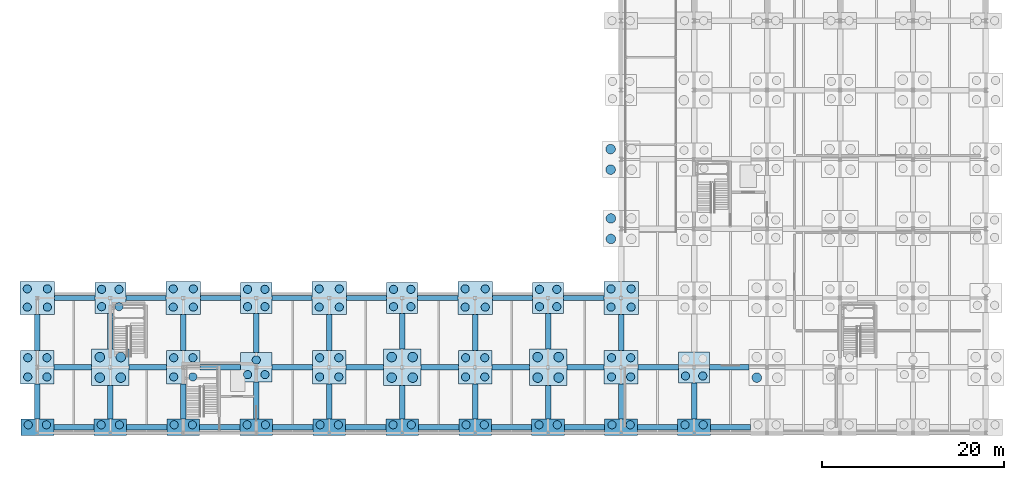
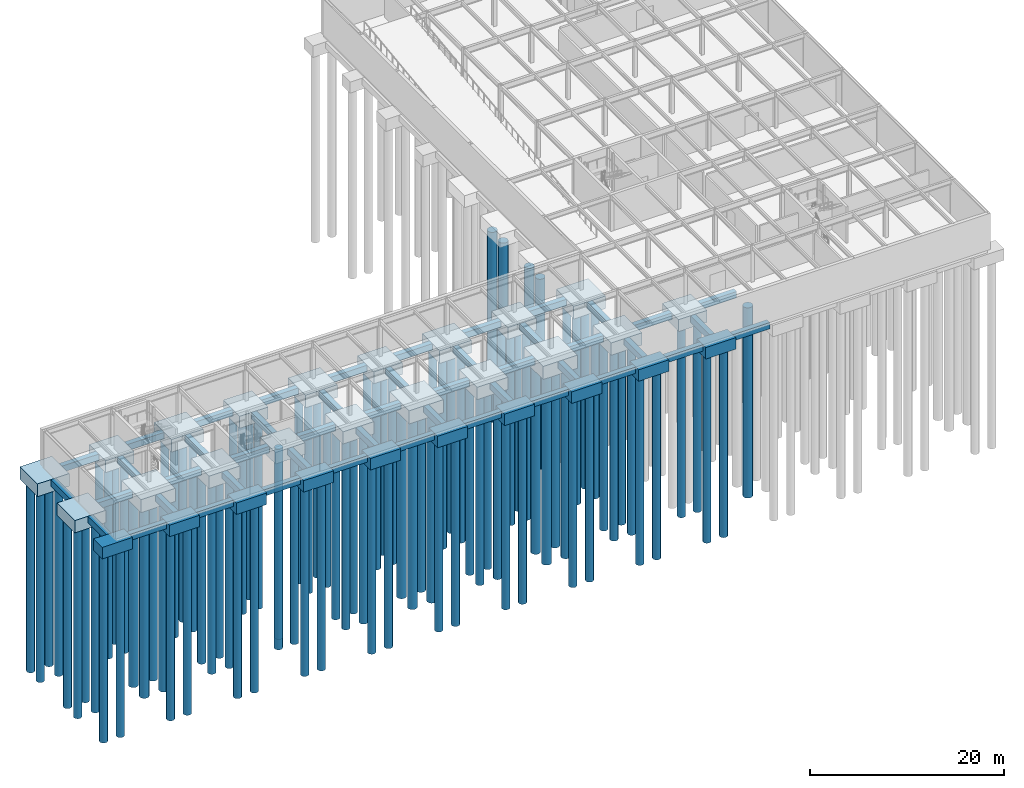
# One storey, part 1 of 21: 98 piles, 76 footings.
"""IFC4 building model written with IfcOpenShell, lengths in metres."""

import ifcopenshell
import ifcopenshell.guid

model = None  # the IFC model being written
_history = None  # IfcOwnerHistory: only IFC2X3 demands one
_inside = {}  # id of a spatial element -> (the spatial element, [elements in it])
_under = {}  # id of a project, library or spatial element -> (it, [spatial elements below it])
_declared = {}  # id of a project -> (the project, [libraries it declares])
_typed = {}  # id of a type object -> (the type object, [elements of that type])
_made_of = {}  # id of a material, layer set ... -> (it, [elements and type objects made of it])


def new_model(schema):
    """Start an empty IFC model of exactly this schema.

    Asked for "IFC4X3", IfcOpenShell would pick the latest addendum, in which some entities
    have other attributes; the version numbers below select the first issue.
    IFC2X3 requires an IfcOwnerHistory on every rooted entity: one is made here for all.
    """
    global model, _history
    if schema == "IFC4X3":
        model = ifcopenshell.file(schema_version=(4, 3, 0, 0))
    else:
        model = ifcopenshell.file(schema=schema)
    _inside.clear()
    _under.clear()
    _declared.clear()
    _typed.clear()
    _made_of.clear()
    _history = None
    if model.schema == "IFC2X3":
        org = make("IfcOrganization", Name="unknown")
        user = make(
            "IfcPersonAndOrganization",
            ThePerson=make("IfcPerson", FamilyName="unknown"),
            TheOrganization=org,
        )
        app = make(
            "IfcApplication",
            ApplicationDeveloper=org,
            Version="unknown",
            ApplicationFullName="unknown",
            ApplicationIdentifier="unknown",
        )
        _history = make(
            "IfcOwnerHistory",
            OwningUser=user,
            OwningApplication=app,
            ChangeAction="ADDED",
            CreationDate=0,
        )
    return model


def make(cls, **values):
    """One entity of the class cls with the attributes given. An attribute that is None is left unset."""
    return model.create_entity(
        cls, **{name: value for name, value in values.items() if value is not None}
    )


def rooted(cls, **values):
    """An entity with a GlobalId (a new one), such as an element, a storey or a relation."""
    return make(cls, GlobalId=ifcopenshell.guid.new(), OwnerHistory=_history, **values)


def si_unit(unit_type, name, prefix=None):
    """IfcSIUnit, for example si_unit("LENGTHUNIT", "METRE", prefix="MILLI")."""
    return make("IfcSIUnit", UnitType=unit_type, Prefix=prefix, Name=name)


def assignment(units):
    """IfcUnitAssignment: the units of a project."""
    return None if units is None else make("IfcUnitAssignment", Units=units)


def point(xyz):
    """IfcCartesianPoint."""
    return None if xyz is None else make("IfcCartesianPoint", Coordinates=xyz)


def direction(xyz):
    """IfcDirection."""
    return None if xyz is None else make("IfcDirection", DirectionRatios=xyz)


def frame(location, z_axis=None, x_axis=None):
    """IfcAxis2Placement3D, a coordinate frame: its origin and axes. An axis left out is left unset."""
    return make(
        "IfcAxis2Placement3D",
        Location=point(location),
        Axis=direction(z_axis),
        RefDirection=direction(x_axis),
    )


def frame_2d(location, x_axis=None):
    """IfcAxis2Placement2D, a coordinate frame in the plane: its origin and x axis."""
    return make(
        "IfcAxis2Placement2D", Location=point(location), RefDirection=direction(x_axis)
    )


def origin():
    """The frame at (0, 0, 0) with its axes left unset."""
    return frame((0.0, 0.0, 0.0))


def origin_2d():
    """The frame at (0, 0) in the plane with its x axis left unset."""
    return frame_2d((0.0, 0.0))


def place(relative_to, where):
    """IfcLocalPlacement: puts the frame where relative to a parent placement (None: the world)."""
    return make(
        "IfcLocalPlacement", PlacementRelTo=relative_to, RelativePlacement=where
    )


def context(
    kind, dimensions, precision=None, world=None, true_north=None, identifier=None
):
    """IfcGeometricRepresentationContext, for example the 3D "Model" context."""
    return make(
        "IfcGeometricRepresentationContext",
        ContextIdentifier=identifier,
        ContextType=kind,
        CoordinateSpaceDimension=dimensions,
        Precision=precision,
        WorldCoordinateSystem=world,
        TrueNorth=true_north,
    )


def subcontext(parent, identifier, kind, view, scale=None):
    """IfcGeometricRepresentationSubContext, for example "Body" below "Model"."""
    return make(
        "IfcGeometricRepresentationSubContext",
        ContextIdentifier=identifier,
        ContextType=kind,
        ParentContext=parent,
        TargetScale=scale,
        TargetView=view,
    )


def project(units=None, contexts=None):
    """IfcProject with its units and contexts."""
    return rooted(
        "IfcProject",
        Name="project",
        RepresentationContexts=contexts,
        UnitsInContext=assignment(units),
    )


def spatial(cls, under=None, at=None, **own):
    """A site, building, storey or space (cls), placed at a placement, below another one or the project."""
    s = rooted(cls, ObjectPlacement=at, **own)
    if under is not None:
        _under.setdefault(under.id(), (under, []))[1].append(s)
    return s


def profile(cls, at=None, kind="AREA", **sizes):
    """A parametric profile (cls). Its sizes go by their IFC names, for example OverallWidth=200.0."""
    return make(cls, ProfileType=kind, Position=at, **sizes)


def rectangle(**sizes):
    """IfcRectangleProfileDef."""
    return profile("IfcRectangleProfileDef", **sizes)


def circle(**sizes):
    """IfcCircleProfileDef."""
    return profile("IfcCircleProfileDef", **sizes)


def extrude(swept, where, along, depth):
    """IfcExtrudedAreaSolid: the profile swept, set in the frame where, extruded along a direction by depth."""
    return make(
        "IfcExtrudedAreaSolid",
        SweptArea=swept,
        Position=where,
        ExtrudedDirection=direction(along),
        Depth=depth,
    )


def shape(context_of_items, identifier, shape_type, items):
    """IfcShapeRepresentation: the items that make up one representation, for example the "Body"."""
    return make(
        "IfcShapeRepresentation",
        ContextOfItems=context_of_items,
        RepresentationIdentifier=identifier,
        RepresentationType=shape_type,
        Items=items,
    )


def material(Name=None, Category=None):
    """IfcMaterial."""
    return make("IfcMaterial", Name=Name, Category=Category)


def material_profile(
    of_material, cross_section, Name=None, Category=None, Priority=None
):
    """IfcMaterialProfile: a cross section and its material."""
    return make(
        "IfcMaterialProfile",
        Name=Name,
        Material=of_material,
        Profile=cross_section,
        Priority=Priority,
        Category=Category,
    )


def profile_set(profiles, Name=None, composite=None):
    """IfcMaterialProfileSet."""
    return make(
        "IfcMaterialProfileSet",
        Name=Name,
        MaterialProfiles=profiles,
        CompositeProfile=composite,
    )


def made_of(thing, what):
    """Note that an element or type object is made of a material, layer set ...; save() writes the relation."""
    if what is not None:
        _made_of.setdefault(what.id(), (what, []))[1].append(thing)
    return thing


def type_object(cls, material=None, **own):
    """A type object (cls), such as IfcWallType, which elements share."""
    return made_of(rooted(cls, **own), material)


def element(
    cls,
    number,
    at=None,
    inside=None,
    cuts=None,
    type_object=None,
    material=None,
    context=None,
    identifier="Body",
    shape_type=None,
    held_by="IfcProductDefinitionShape",
    body=None,
    shapes=None,
    **own,
):
    """One element of the class cls, such as IfcWall. Its Tag is "e" and its number.

    at: its placement. inside: the storey or other place that contains it. cuts: it is an
    opening in that element (IfcRelVoidsElement). A single representation is given by context,
    identifier, shape_type and body (its items); several are given by shapes. held_by: the class
    of the entity that holds the representations. save() writes the other relations.
    """
    e = rooted(cls, Tag="e%d" % number, ObjectPlacement=at, **own)
    if body is not None:
        shapes = [shape(context, identifier, shape_type, body)]
    if shapes is not None:
        e.Representation = make(held_by, Representations=shapes)
    if inside is not None:
        _inside.setdefault(inside.id(), (inside, []))[1].append(e)
    if cuts is not None:
        rooted(
            "IfcRelVoidsElement", RelatingBuildingElement=cuts, RelatedOpeningElement=e
        )
    if type_object is not None:
        _typed.setdefault(type_object.id(), (type_object, []))[1].append(e)
    return made_of(e, material)


def aggregate(whole, parts):
    """IfcRelAggregates: a whole, such as a stair, and the parts it consists of."""
    return rooted("IfcRelAggregates", RelatingObject=whole, RelatedObjects=parts)


def save(model, path):
    """Write the relations noted so far, then the file.

    IfcRelAggregates (storeys below a building ...), IfcRelContainedInSpatialStructure (elements
    in a storey), IfcRelDefinesByType, IfcRelAssociatesMaterial and IfcRelDeclares: one each for
    every whole, place, type object, material and project.
    """
    for whole, parts in _under.values():
        aggregate(whole, parts)
    for where, things in _inside.values():
        rooted(
            "IfcRelContainedInSpatialStructure",
            RelatedElements=things,
            RelatingStructure=where,
        )
    for kind, things in _typed.values():
        rooted("IfcRelDefinesByType", RelatedObjects=things, RelatingType=kind)
    for what, things in _made_of.values():
        rooted("IfcRelAssociatesMaterial", RelatedObjects=things, RelatingMaterial=what)
    for by, libraries in _declared.values():
        rooted("IfcRelDeclares", RelatingContext=by, RelatedDefinitions=libraries)
    model.write(path)


model = new_model("IFC4")

# Units and contexts
model_context = context("Model", 3, precision=1e-05, world=origin(), true_north=direction((0.0, 1.0)))
body_context = subcontext(model_context, "Body", "Model", "MODEL_VIEW")
ifc_project = project(units=[si_unit("LENGTHUNIT", "METRE"), si_unit("AREAUNIT", "SQUARE_METRE"), si_unit("VOLUMEUNIT", "CUBIC_METRE"), si_unit("PLANEANGLEUNIT", "RADIAN"), si_unit("MASSUNIT", "GRAM", prefix="KILO")], contexts=[model_context])

# Site, building, storey
site_placement = place(None, origin())
site = spatial("IfcSite", under=ifc_project, at=site_placement, CompositionType="ELEMENT")
building_placement = place(site_placement, origin())
building = spatial("IfcBuilding", under=site, at=building_placement, Name="Zulena Civic Courthouse", CompositionType="ELEMENT")
storey_placement = place(building_placement, frame((0.0, 0.0, -4.800048828125)))
storey = spatial("IfcBuildingStorey", under=building, at=storey_placement, Name="B01", CompositionType="ELEMENT", Elevation=-4.800048828125)

# Piles
ifc_material_1 = material(Name="Concrete C40/50", Category="concrete")
ifc_material_profile_1 = material_profile(ifc_material_1, circle(Radius=0.52490234375, at=origin_2d()), Name="PILE1050")
ifc_profile_set_1 = profile_set([ifc_material_profile_1], Name="Concrete C40/50")
pile_type_1 = type_object("IfcPileType", Name="BoredPile_1050", PredefinedType="BORED", material=ifc_profile_set_1)
for number, where, z_axis, x_axis, name in (
    (1, (10.85009765625, 52.074951171875, -2.0), (0.0, 0.0, -1.0), (1.0, 0.0, 0.0), "pile:B01:005:1"),
    (2, (13.14990234375, 52.074951171875, -2.0), (0.0, 0.0, -1.0), (1.0, 0.0, 0.0), "pile:B01:005:2"),
    (3, (10.85009765625, 54.324951171875, -2.0), (0.0, 0.0, -1.0), (1.0, 0.0, 0.0), "pile:B01:005:3"),
    (4, (13.14990234375, 54.324951171875, -2.0), (0.0, 0.0, -1.0), (1.0, 0.0, 0.0), "pile:B01:005:4"),
    (5, (42.85009765625, 52.074951171875, -2.0), (0.0, 0.0, -1.0), (1.0, 0.0, 0.0), "pile:B01:017:1"),
    (6, (45.14990234375, 52.074951171875, -2.0), (0.0, 0.0, -1.0), (1.0, 0.0, 0.0), "pile:B01:017:2"),
    (7, (42.85009765625, 54.324951171875, -2.0), (0.0, 0.0, -1.0), (1.0, 0.0, 0.0), "pile:B01:017:3"),
    (8, (45.14990234375, 54.324951171875, -2.0), (0.0, 0.0, -1.0), (1.0, 0.0, 0.0), "pile:B01:017:4"),
    (9, (58.85009765625, 52.074951171875, -2.0), (0.0, 0.0, -1.0), (1.0, 0.0, 0.0), "pile:B01:023:1"),
    (10, (61.14990234375, 52.074951171875, -2.0), (0.0, 0.0, -1.0), (1.0, 0.0, 0.0), "pile:B01:023:2"),
    (11, (58.85009765625, 54.324951171875, -2.0), (0.0, 0.0, -1.0), (1.0, 0.0, 0.0), "pile:B01:023:3"),
    (12, (61.14990234375, 54.324951171875, -2.0), (0.0, 0.0, -1.0), (1.0, 0.0, 0.0), "pile:B01:023:4"),
    (13, (66.875, 67.27490234375, -1.949951171875), (0.0, 0.0, -1.0), (1.0, 0.0, 0.0), "pile:B01:028:1"),
    (14, (66.875, 69.52490234375, -1.949951171875), (0.0, 0.0, -1.0), (1.0, 0.0, 0.0), "pile:B01:028:3"),
    (15, (66.85009765625, 74.875, -2.0), (0.0, 0.0, -1.0), (1.0, 0.0, 0.0), "pile:B01:029:1"),
    (16, (66.85009765625, 77.125, -2.0), (0.0, 0.0, -1.0), (1.0, 0.0, 0.0), "pile:B01:029:3"),
    (17, (82.875, 52.074951171875, -1.949951171875), (0.0, 0.0, -1.0), (1.0, 0.0, 0.0), "pile:B01:046:1"),
):
    element("IfcPile", number, at=place(storey_placement, frame(where, z_axis=z_axis, x_axis=x_axis)), inside=storey, type_object=pile_type_1, Name=name, PredefinedType="BORED", context=body_context, shape_type="SweptSolid", body=[
        extrude(circle(Radius=0.52490234375, at=origin_2d()), origin(), (0.0, 0.0, 1.0), 24.0),
    ])
ifc_material_profile_2 = material_profile(ifc_material_1, circle(Radius=0.449951171875, at=origin_2d()), Name="PILE900")
ifc_profile_set_2 = profile_set([ifc_material_profile_2], Name="Concrete C40/50")
pile_type_2 = type_object("IfcPileType", Name="BoredPile_900", PredefinedType="BORED", material=ifc_profile_set_2)
for number, where, z_axis, x_axis, name in (
    (18, (3.0, 46.89990234375, -1.800048828125), (0.0, 0.0, -1.0), (1.0, 0.0, 0.0), "pile:B01:001:1"),
    (19, (5.0, 46.89990234375, -1.800048828125), (0.0, 0.0, -1.0), (1.0, 0.0, 0.0), "pile:B01:001:2"),
    (20, (2.949951171875, 52.14990234375, -1.89990234375), (0.0, 0.0, -1.0), (1.0, 0.0, 0.0), "pile:B01:002:1"),
    (21, (5.050048828125, 52.14990234375, -1.89990234375), (0.0, 0.0, -1.0), (1.0, 0.0, 0.0), "pile:B01:002:2"),
    (22, (2.949951171875, 54.25, -1.89990234375), (0.0, 0.0, -1.0), (1.0, 0.0, 0.0), "pile:B01:002:3"),
    (23, (5.050048828125, 54.25, -1.89990234375), (0.0, 0.0, -1.0), (1.0, 0.0, 0.0), "pile:B01:002:4"),
    (24, (2.89990234375, 59.800048828125, -1.949951171875), (0.0, 0.0, -1.0), (1.0, 0.0, 0.0), "pile:B01:003:1"),
    (25, (5.10009765625, 59.800048828125, -1.949951171875), (0.0, 0.0, -1.0), (1.0, 0.0, 0.0), "pile:B01:003:2"),
    (26, (2.89990234375, 61.800048828125, -1.949951171875), (0.0, 0.0, -1.0), (1.0, 0.0, 0.0), "pile:B01:003:3"),
    (27, (5.10009765625, 61.800048828125, -1.949951171875), (0.0, 0.0, -1.0), (1.0, 0.0, 0.0), "pile:B01:003:4"),
    (28, (11.0, 46.89990234375, -1.800048828125), (0.0, 0.0, -1.0), (1.0, 0.0, 0.0), "pile:B01:004:1"),
    (29, (13.0, 46.89990234375, -1.800048828125), (0.0, 0.0, -1.0), (1.0, 0.0, 0.0), "pile:B01:004:2"),
    (30, (11.050048828125, 59.85009765625, -1.849853515625), (0.0, 0.0, -1.0), (1.0, 0.0, 0.0), "pile:B01:006:1"),
    (31, (12.949951171875, 59.85009765625, -1.849853515625), (0.0, 0.0, -1.0), (1.0, 0.0, 0.0), "pile:B01:006:2"),
    (32, (11.050048828125, 61.75, -1.849853515625), (0.0, 0.0, -1.0), (1.0, 0.0, 0.0), "pile:B01:006:3"),
    (33, (12.949951171875, 61.75, -1.849853515625), (0.0, 0.0, -1.0), (1.0, 0.0, 0.0), "pile:B01:006:4"),
    (34, (19.0, 46.89990234375, -1.800048828125), (0.0, 0.0, -1.0), (1.0, 0.0, 0.0), "pile:B01:007:1"),
    (35, (21.0, 46.89990234375, -1.800048828125), (0.0, 0.0, -1.0), (1.0, 0.0, 0.0), "pile:B01:007:2"),
    (36, (18.949951171875, 52.14990234375, -1.89990234375), (0.0, 0.0, -1.0), (1.0, 0.0, 0.0), "pile:B01:008:1"),
    (37, (21.050048828125, 52.14990234375, -1.89990234375), (0.0, 0.0, -1.0), (1.0, 0.0, 0.0), "pile:B01:008:2"),
    (38, (18.949951171875, 54.25, -1.89990234375), (0.0, 0.0, -1.0), (1.0, 0.0, 0.0), "pile:B01:008:3"),
    (39, (21.050048828125, 54.25, -1.89990234375), (0.0, 0.0, -1.0), (1.0, 0.0, 0.0), "pile:B01:008:4"),
    (40, (18.89990234375, 59.800048828125, -1.949951171875), (0.0, 0.0, -1.0), (1.0, 0.0, 0.0), "pile:B01:009:1"),
    (41, (21.10009765625, 59.800048828125, -1.949951171875), (0.0, 0.0, -1.0), (1.0, 0.0, 0.0), "pile:B01:009:2"),
    (42, (18.89990234375, 61.800048828125, -1.949951171875), (0.0, 0.0, -1.0), (1.0, 0.0, 0.0), "pile:B01:009:3"),
    (43, (21.10009765625, 61.800048828125, -1.949951171875), (0.0, 0.0, -1.0), (1.0, 0.0, 0.0), "pile:B01:009:4"),
    (44, (27.0, 46.89990234375, -1.800048828125), (0.0, 0.0, -1.0), (1.0, 0.0, 0.0), "pile:B01:010:1"),
    (45, (29.0, 46.89990234375, -1.800048828125), (0.0, 0.0, -1.0), (1.0, 0.0, 0.0), "pile:B01:010:2"),
    (46, (27.050048828125, 52.39990234375, -1.800048828125), (0.0, 0.0, -1.0), (1.0, 0.0, 0.0), "pile:B01:011:1"),
    (47, (28.949951171875, 52.39990234375, -1.800048828125), (0.0, 0.0, -1.0), (1.0, 0.0, 0.0), "pile:B01:011:2"),
    (48, (28.0, 54.0, -1.800048828125), (0.0, 0.0, -1.0), (1.0, 0.0, 0.0), "pile:B01:011:3"),
    (49, (27.050048828125, 59.85009765625, -1.849853515625), (0.0, 0.0, -1.0), (1.0, 0.0, 0.0), "pile:B01:012:1"),
    (50, (28.949951171875, 59.85009765625, -1.849853515625), (0.0, 0.0, -1.0), (1.0, 0.0, 0.0), "pile:B01:012:2"),
    (51, (27.050048828125, 61.75, -1.849853515625), (0.0, 0.0, -1.0), (1.0, 0.0, 0.0), "pile:B01:012:3"),
    (52, (28.949951171875, 61.75, -1.849853515625), (0.0, 0.0, -1.0), (1.0, 0.0, 0.0), "pile:B01:012:4"),
    (53, (35.0, 46.89990234375, -1.800048828125), (0.0, 0.0, -1.0), (1.0, 0.0, 0.0), "pile:B01:013:1"),
    (54, (37.0, 46.89990234375, -1.800048828125), (0.0, 0.0, -1.0), (1.0, 0.0, 0.0), "pile:B01:013:2"),
    (55, (34.949951171875, 52.14990234375, -1.89990234375), (0.0, 0.0, -1.0), (1.0, 0.0, 0.0), "pile:B01:014:1"),
    (56, (37.050048828125, 52.14990234375, -1.89990234375), (0.0, 0.0, -1.0), (1.0, 0.0, 0.0), "pile:B01:014:2"),
    (57, (34.949951171875, 54.25, -1.89990234375), (0.0, 0.0, -1.0), (1.0, 0.0, 0.0), "pile:B01:014:3"),
    (58, (37.050048828125, 54.25, -1.89990234375), (0.0, 0.0, -1.0), (1.0, 0.0, 0.0), "pile:B01:014:4"),
    (59, (34.89990234375, 59.800048828125, -1.949951171875), (0.0, 0.0, -1.0), (1.0, 0.0, 0.0), "pile:B01:015:1"),
    (60, (37.10009765625, 59.800048828125, -1.949951171875), (0.0, 0.0, -1.0), (1.0, 0.0, 0.0), "pile:B01:015:2"),
    (61, (34.89990234375, 61.800048828125, -1.949951171875), (0.0, 0.0, -1.0), (1.0, 0.0, 0.0), "pile:B01:015:3"),
    (62, (37.10009765625, 61.800048828125, -1.949951171875), (0.0, 0.0, -1.0), (1.0, 0.0, 0.0), "pile:B01:015:4"),
    (63, (43.0, 46.89990234375, -1.800048828125), (0.0, 0.0, -1.0), (1.0, 0.0, 0.0), "pile:B01:016:1"),
    (64, (45.0, 46.89990234375, -1.800048828125), (0.0, 0.0, -1.0), (1.0, 0.0, 0.0), "pile:B01:016:2"),
    (65, (43.050048828125, 59.85009765625, -1.849853515625), (0.0, 0.0, -1.0), (1.0, 0.0, 0.0), "pile:B01:018:1"),
    (66, (44.949951171875, 59.85009765625, -1.849853515625), (0.0, 0.0, -1.0), (1.0, 0.0, 0.0), "pile:B01:018:2"),
    (67, (43.050048828125, 61.75, -1.849853515625), (0.0, 0.0, -1.0), (1.0, 0.0, 0.0), "pile:B01:018:3"),
    (68, (44.949951171875, 61.75, -1.849853515625), (0.0, 0.0, -1.0), (1.0, 0.0, 0.0), "pile:B01:018:4"),
    (69, (51.0, 46.89990234375, -1.800048828125), (0.0, 0.0, -1.0), (1.0, 0.0, 0.0), "pile:B01:019:1"),
    (70, (53.0, 46.89990234375, -1.800048828125), (0.0, 0.0, -1.0), (1.0, 0.0, 0.0), "pile:B01:019:2"),
    (71, (50.949951171875, 52.14990234375, -1.89990234375), (0.0, 0.0, -1.0), (1.0, 0.0, 0.0), "pile:B01:020:1"),
    (72, (53.050048828125, 52.14990234375, -1.89990234375), (0.0, 0.0, -1.0), (1.0, 0.0, 0.0), "pile:B01:020:2"),
    (73, (50.949951171875, 54.25, -1.89990234375), (0.0, 0.0, -1.0), (1.0, 0.0, 0.0), "pile:B01:020:3"),
    (74, (53.050048828125, 54.25, -1.89990234375), (0.0, 0.0, -1.0), (1.0, 0.0, 0.0), "pile:B01:020:4"),
    (75, (50.89990234375, 59.800048828125, -1.949951171875), (0.0, 0.0, -1.0), (1.0, 0.0, 0.0), "pile:B01:021:1"),
    (76, (53.10009765625, 59.800048828125, -1.949951171875), (0.0, 0.0, -1.0), (1.0, 0.0, 0.0), "pile:B01:021:2"),
    (77, (50.89990234375, 61.800048828125, -1.949951171875), (0.0, 0.0, -1.0), (1.0, 0.0, 0.0), "pile:B01:021:3"),
    (78, (53.10009765625, 61.800048828125, -1.949951171875), (0.0, 0.0, -1.0), (1.0, 0.0, 0.0), "pile:B01:021:4"),
    (79, (59.0, 46.89990234375, -1.800048828125), (0.0, 0.0, -1.0), (1.0, 0.0, 0.0), "pile:B01:022:1"),
    (80, (61.0, 46.89990234375, -1.800048828125), (0.0, 0.0, -1.0), (1.0, 0.0, 0.0), "pile:B01:022:2"),
    (81, (59.050048828125, 59.85009765625, -1.849853515625), (0.0, 0.0, -1.0), (1.0, 0.0, 0.0), "pile:B01:024:1"),
    (82, (60.949951171875, 59.85009765625, -1.849853515625), (0.0, 0.0, -1.0), (1.0, 0.0, 0.0), "pile:B01:024:2"),
    (83, (59.050048828125, 61.75, -1.849853515625), (0.0, 0.0, -1.0), (1.0, 0.0, 0.0), "pile:B01:024:3"),
    (84, (60.949951171875, 61.75, -1.849853515625), (0.0, 0.0, -1.0), (1.0, 0.0, 0.0), "pile:B01:024:4"),
    (85, (67.0, 46.89990234375, -1.800048828125), (0.0, 0.0, -1.0), (1.0, 0.0, 0.0), "pile:B01:025:1"),
    (86, (69.0, 46.89990234375, -1.800048828125), (0.0, 0.0, -1.0), (1.0, 0.0, 0.0), "pile:B01:025:2"),
    (87, (66.949951171875, 52.14990234375, -1.89990234375), (0.0, 0.0, -1.0), (1.0, 0.0, 0.0), "pile:B01:026:1"),
    (88, (69.050048828125, 52.14990234375, -1.89990234375), (0.0, 0.0, -1.0), (1.0, 0.0, 0.0), "pile:B01:026:2"),
    (89, (66.949951171875, 54.25, -1.89990234375), (0.0, 0.0, -1.0), (1.0, 0.0, 0.0), "pile:B01:026:3"),
    (90, (69.050048828125, 54.25, -1.89990234375), (0.0, 0.0, -1.0), (1.0, 0.0, 0.0), "pile:B01:026:4"),
    (91, (66.89990234375, 59.800048828125, -1.949951171875), (0.0, 0.0, -1.0), (1.0, 0.0, 0.0), "pile:B01:027:1"),
    (92, (69.10009765625, 59.800048828125, -1.949951171875), (0.0, 0.0, -1.0), (1.0, 0.0, 0.0), "pile:B01:027:2"),
    (93, (66.89990234375, 61.800048828125, -1.949951171875), (0.0, 0.0, -1.0), (1.0, 0.0, 0.0), "pile:B01:027:3"),
    (94, (69.10009765625, 61.800048828125, -1.949951171875), (0.0, 0.0, -1.0), (1.0, 0.0, 0.0), "pile:B01:027:4"),
    (95, (75.0, 46.89990234375, -1.800048828125), (0.0, 0.0, -1.0), (1.0, 0.0, 0.0), "pile:B01:035:1"),
    (96, (77.0, 46.89990234375, -1.800048828125), (0.0, 0.0, -1.0), (1.0, 0.0, 0.0), "pile:B01:035:2"),
    (97, (75.050048828125, 52.25, -1.849853515625), (0.0, 0.0, -1.0), (1.0, 0.0, 0.0), "pile:B01:036:1"),
    (98, (76.949951171875, 52.25, -1.849853515625), (0.0, 0.0, -1.0), (1.0, 0.0, 0.0), "pile:B01:036:2"),
):
    element("IfcPile", number, at=place(storey_placement, frame(where, z_axis=z_axis, x_axis=x_axis)), inside=storey, type_object=pile_type_2, Name=name, PredefinedType="BORED", context=body_context, shape_type="SweptSolid", body=[
        extrude(circle(Radius=0.449951171875, at=origin_2d()), origin(), (0.0, 0.0, 1.0), 24.0),
    ])

# Footings
ifc_material_2 = material(Name="Concrete C35/45", Category="concrete")
ifc_material_profile_3 = material_profile(ifc_material_2, rectangle(XDim=0.60009765625, YDim=0.800048828125, at=origin_2d()), Name="RC600X800")
ifc_profile_set_3 = profile_set([ifc_material_profile_3], Name="Concrete C35/45")
footing_type_1 = type_object("IfcFootingType", Name="GroundBeam_600x800", PredefinedType="FOOTING_BEAM", material=ifc_profile_set_3)
for number, where, z_axis, x_axis, name in (
    (99, (5.800048828125, 46.64990234375, -0.849853515625), (1.0, 0.0, 0.0), (0.0, 1.0, 0.0), "gbeam:X:B01:001"),
    (100, (13.800048828125, 46.64990234375, -0.849853515625), (1.0, 0.0, 0.0), (0.0, 1.0, 0.0), "gbeam:X:B01:002"),
    (101, (21.800048828125, 46.64990234375, -0.849853515625), (1.0, 0.0, 0.0), (0.0, 1.0, 0.0), "gbeam:X:B01:003"),
    (102, (29.800048828125, 46.64990234375, -0.849853515625), (1.0, 0.0, 0.0), (0.0, 1.0, 0.0), "gbeam:X:B01:004"),
    (103, (37.800048828125, 46.64990234375, -0.849853515625), (1.0, 0.0, 0.0), (0.0, 1.0, 0.0), "gbeam:X:B01:005"),
    (104, (45.800048828125, 46.64990234375, -0.849853515625), (1.0, 0.0, 0.0), (0.0, 1.0, 0.0), "gbeam:X:B01:006"),
    (105, (53.800048828125, 46.64990234375, -0.849853515625), (1.0, 0.0, 0.0), (0.0, 1.0, 0.0), "gbeam:X:B01:007"),
    (106, (61.800048828125, 46.64990234375, -0.849853515625), (1.0, 0.0, 0.0), (0.0, 1.0, 0.0), "gbeam:X:B01:008"),
    (107, (69.800048828125, 46.64990234375, -0.849853515625), (1.0, 0.0, 0.0), (0.0, 1.0, 0.0), "gbeam:X:B01:009"),
    (108, (77.800048828125, 46.64990234375, -0.849853515625), (1.0, 0.0, 0.0), (0.0, 1.0, 0.0), "gbeam:X:B01:010"),
):
    element("IfcFooting", number, at=place(storey_placement, frame(where, z_axis=z_axis, x_axis=x_axis)), inside=storey, type_object=footing_type_1, Name=name, PredefinedType="FOOTING_BEAM", context=body_context, shape_type="SweptSolid", body=[
        extrude(rectangle(XDim=0.60009765625, YDim=0.800048828125, at=origin_2d()), origin(), (0.0, 0.0, 1.0), 4.39990234375),
    ])
for number, where, z_axis, x_axis, name in (
    (109, (5.85009765625, 53.199951171875, -0.849853515625), (1.0, 0.0, 0.0), (0.0, 1.0, 0.0), "gbeam:X:B01:014"),
    (110, (14.050048828125, 53.199951171875, -0.849853515625), (1.0, 0.0, 0.0), (0.0, 1.0, 0.0), "gbeam:X:B01:015"),
):
    element("IfcFooting", number, at=place(storey_placement, frame(where, z_axis=z_axis, x_axis=x_axis)), inside=storey, type_object=footing_type_1, Name=name, PredefinedType="FOOTING_BEAM", context=body_context, shape_type="SweptSolid", body=[
        extrude(rectangle(XDim=0.60009765625, YDim=0.800048828125, at=origin_2d()), origin(), (0.0, 0.0, 1.0), 4.099853515625),
    ])
for number, where, z_axis, x_axis, name in (
    (111, (21.85009765625, 53.199951171875, -0.849853515625), (1.0, 0.0, 0.0), (0.0, 1.0, 0.0), "gbeam:X:B01:016"),
    (112, (29.75, 53.199951171875, -0.849853515625), (1.0, 0.0, 0.0), (0.0, 1.0, 0.0), "gbeam:X:B01:017"),
):
    element("IfcFooting", number, at=place(storey_placement, frame(where, z_axis=z_axis, x_axis=x_axis)), inside=storey, type_object=footing_type_1, Name=name, PredefinedType="FOOTING_BEAM", context=body_context, shape_type="SweptSolid", body=[
        extrude(rectangle(XDim=0.60009765625, YDim=0.800048828125, at=origin_2d()), origin(), (0.0, 0.0, 1.0), 4.39990234375),
    ])
for number, where, z_axis, x_axis, name in (
    (113, (37.85009765625, 53.199951171875, -0.849853515625), (1.0, 0.0, 0.0), (0.0, 1.0, 0.0), "gbeam:X:B01:018"),
    (114, (46.050048828125, 53.199951171875, -0.849853515625), (1.0, 0.0, 0.0), (0.0, 1.0, 0.0), "gbeam:X:B01:019"),
    (115, (53.85009765625, 53.199951171875, -0.849853515625), (1.0, 0.0, 0.0), (0.0, 1.0, 0.0), "gbeam:X:B01:020"),
    (116, (62.050048828125, 53.199951171875, -0.849853515625), (1.0, 0.0, 0.0), (0.0, 1.0, 0.0), "gbeam:X:B01:021"),
):
    element("IfcFooting", number, at=place(storey_placement, frame(where, z_axis=z_axis, x_axis=x_axis)), inside=storey, type_object=footing_type_1, Name=name, PredefinedType="FOOTING_BEAM", context=body_context, shape_type="SweptSolid", body=[
        extrude(rectangle(XDim=0.60009765625, YDim=0.800048828125, at=origin_2d()), origin(), (0.0, 0.0, 1.0), 4.099853515625),
    ])
footing_1_placement = place(storey_placement, frame((69.85009765625, 53.199951171875, -0.849853515625), z_axis=(1.0, 0.0, 0.0), x_axis=(0.0, 1.0, 0.0)))
element("IfcFooting", 117, at=footing_1_placement, inside=storey, type_object=footing_type_1, Name="gbeam:X:B01:022", PredefinedType="FOOTING_BEAM", context=body_context, shape_type="SweptSolid", body=[
    extrude(rectangle(XDim=0.60009765625, YDim=0.800048828125, at=origin_2d()), origin(), (0.0, 0.0, 1.0), 4.449951171875),
])
footing_2_placement = place(storey_placement, frame((77.699951171875, 53.199951171875, -0.849853515625), z_axis=(1.0, 0.0, 0.0), x_axis=(0.0, 1.0, 0.0)))
element("IfcFooting", 118, at=footing_2_placement, inside=storey, type_object=footing_type_1, Name="gbeam:X:B01:023", PredefinedType="FOOTING_BEAM", context=body_context, shape_type="SweptSolid", body=[
    extrude(rectangle(XDim=0.60009765625, YDim=0.800048828125, at=origin_2d()), origin(), (0.0, 0.0, 1.0), 4.324951171875),
])
for number, where, z_axis, x_axis, name in (
    (119, (5.89990234375, 60.800048828125, -0.849853515625), (1.0, 0.0, 0.0), (0.0, 1.0, 0.0), "gbeam:X:B01:027"),
    (120, (13.699951171875, 60.800048828125, -0.849853515625), (1.0, 0.0, 0.0), (0.0, 1.0, 0.0), "gbeam:X:B01:028"),
    (121, (21.89990234375, 60.800048828125, -0.849853515625), (1.0, 0.0, 0.0), (0.0, 1.0, 0.0), "gbeam:X:B01:029"),
    (122, (29.699951171875, 60.800048828125, -0.849853515625), (1.0, 0.0, 0.0), (0.0, 1.0, 0.0), "gbeam:X:B01:030"),
    (123, (37.89990234375, 60.800048828125, -0.849853515625), (1.0, 0.0, 0.0), (0.0, 1.0, 0.0), "gbeam:X:B01:031"),
    (124, (45.699951171875, 60.800048828125, -0.849853515625), (1.0, 0.0, 0.0), (0.0, 1.0, 0.0), "gbeam:X:B01:032"),
    (125, (53.89990234375, 60.800048828125, -0.849853515625), (1.0, 0.0, 0.0), (0.0, 1.0, 0.0), "gbeam:X:B01:033"),
    (126, (61.699951171875, 60.800048828125, -0.849853515625), (1.0, 0.0, 0.0), (0.0, 1.0, 0.0), "gbeam:X:B01:034"),
):
    element("IfcFooting", number, at=place(storey_placement, frame(where, z_axis=z_axis, x_axis=x_axis)), inside=storey, type_object=footing_type_1, Name=name, PredefinedType="FOOTING_BEAM", context=body_context, shape_type="SweptSolid", body=[
        extrude(rectangle(XDim=0.60009765625, YDim=0.800048828125, at=origin_2d()), origin(), (0.0, 0.0, 1.0), 4.400146484375),
    ])
footing_3_placement = place(storey_placement, frame((4.0, 47.550048828125, -0.849853515625), z_axis=(0.0, 1.0, 0.0), x_axis=(-1.0, 0.0, 0.0)))
element("IfcFooting", 127, at=footing_3_placement, inside=storey, type_object=footing_type_1, Name="gbeam:Y:B01:075", PredefinedType="FOOTING_BEAM", context=body_context, shape_type="SweptSolid", body=[
    extrude(rectangle(XDim=0.60009765625, YDim=0.800048828125, at=origin_2d()), origin(), (0.0, 0.0, 1.0), 3.800048828125),
])
footing_4_placement = place(storey_placement, frame((4.0, 55.050048828125, -0.849853515625), z_axis=(0.0, 1.0, 0.0), x_axis=(-1.0, 0.0, 0.0)))
element("IfcFooting", 128, at=footing_4_placement, inside=storey, type_object=footing_type_1, Name="gbeam:Y:B01:076", PredefinedType="FOOTING_BEAM", context=body_context, shape_type="SweptSolid", body=[
    extrude(rectangle(XDim=0.60009765625, YDim=0.800048828125, at=origin_2d()), origin(), (0.0, 0.0, 1.0), 3.949951171875),
])
footing_5_placement = place(storey_placement, frame((12.0, 47.550048828125, -0.849853515625), z_axis=(0.0, 1.0, 0.0), x_axis=(-1.0, 0.0, 0.0)))
element("IfcFooting", 129, at=footing_5_placement, inside=storey, type_object=footing_type_1, Name="gbeam:Y:B01:077", PredefinedType="FOOTING_BEAM", context=body_context, shape_type="SweptSolid", body=[
    extrude(rectangle(XDim=0.60009765625, YDim=0.800048828125, at=origin_2d()), origin(), (0.0, 0.0, 1.0), 3.64990234375),
])
footing_6_placement = place(storey_placement, frame((12.0, 55.199951171875, -0.849853515625), z_axis=(0.0, 1.0, 0.0), x_axis=(-1.0, 0.0, 0.0)))
element("IfcFooting", 130, at=footing_6_placement, inside=storey, type_object=footing_type_1, Name="gbeam:Y:B01:078", PredefinedType="FOOTING_BEAM", context=body_context, shape_type="SweptSolid", body=[
    extrude(rectangle(XDim=0.60009765625, YDim=0.800048828125, at=origin_2d()), origin(), (0.0, 0.0, 1.0), 3.900146484375),
])
footing_7_placement = place(storey_placement, frame((20.0, 47.550048828125, -0.849853515625), z_axis=(0.0, 1.0, 0.0), x_axis=(-1.0, 0.0, 0.0)))
element("IfcFooting", 131, at=footing_7_placement, inside=storey, type_object=footing_type_1, Name="gbeam:Y:B01:079", PredefinedType="FOOTING_BEAM", context=body_context, shape_type="SweptSolid", body=[
    extrude(rectangle(XDim=0.60009765625, YDim=0.800048828125, at=origin_2d()), origin(), (0.0, 0.0, 1.0), 3.800048828125),
])
footing_8_placement = place(storey_placement, frame((20.0, 55.050048828125, -0.849853515625), z_axis=(0.0, 1.0, 0.0), x_axis=(-1.0, 0.0, 0.0)))
element("IfcFooting", 132, at=footing_8_placement, inside=storey, type_object=footing_type_1, Name="gbeam:Y:B01:080", PredefinedType="FOOTING_BEAM", context=body_context, shape_type="SweptSolid", body=[
    extrude(rectangle(XDim=0.60009765625, YDim=0.800048828125, at=origin_2d()), origin(), (0.0, 0.0, 1.0), 3.949951171875),
])
footing_9_placement = place(storey_placement, frame((28.0, 47.550048828125, -0.849853515625), z_axis=(0.0, 1.0, 0.0), x_axis=(-1.0, 0.0, 0.0)))
element("IfcFooting", 133, at=footing_9_placement, inside=storey, type_object=footing_type_1, Name="gbeam:Y:B01:081", PredefinedType="FOOTING_BEAM", context=body_context, shape_type="SweptSolid", body=[
    extrude(rectangle(XDim=0.60009765625, YDim=0.800048828125, at=origin_2d()), origin(), (0.0, 0.0, 1.0), 4.050048828125),
])
footing_10_placement = place(storey_placement, frame((28.0, 54.800048828125, -0.849853515625), z_axis=(0.0, 1.0, 0.0), x_axis=(-1.0, 0.0, 0.0)))
element("IfcFooting", 134, at=footing_10_placement, inside=storey, type_object=footing_type_1, Name="gbeam:Y:B01:082", PredefinedType="FOOTING_BEAM", context=body_context, shape_type="SweptSolid", body=[
    extrude(rectangle(XDim=0.60009765625, YDim=0.800048828125, at=origin_2d()), origin(), (0.0, 0.0, 1.0), 4.300048828125),
])
footing_11_placement = place(storey_placement, frame((36.0, 47.550048828125, -0.849853515625), z_axis=(0.0, 1.0, 0.0), x_axis=(-1.0, 0.0, 0.0)))
element("IfcFooting", 135, at=footing_11_placement, inside=storey, type_object=footing_type_1, Name="gbeam:Y:B01:083", PredefinedType="FOOTING_BEAM", context=body_context, shape_type="SweptSolid", body=[
    extrude(rectangle(XDim=0.60009765625, YDim=0.800048828125, at=origin_2d()), origin(), (0.0, 0.0, 1.0), 3.800048828125),
])
footing_12_placement = place(storey_placement, frame((36.0, 55.050048828125, -0.849853515625), z_axis=(0.0, 1.0, 0.0), x_axis=(-1.0, 0.0, 0.0)))
element("IfcFooting", 136, at=footing_12_placement, inside=storey, type_object=footing_type_1, Name="gbeam:Y:B01:084", PredefinedType="FOOTING_BEAM", context=body_context, shape_type="SweptSolid", body=[
    extrude(rectangle(XDim=0.60009765625, YDim=0.800048828125, at=origin_2d()), origin(), (0.0, 0.0, 1.0), 3.949951171875),
])
footing_13_placement = place(storey_placement, frame((44.0, 47.550048828125, -0.849853515625), z_axis=(0.0, 1.0, 0.0), x_axis=(-1.0, 0.0, 0.0)))
element("IfcFooting", 137, at=footing_13_placement, inside=storey, type_object=footing_type_1, Name="gbeam:Y:B01:085", PredefinedType="FOOTING_BEAM", context=body_context, shape_type="SweptSolid", body=[
    extrude(rectangle(XDim=0.60009765625, YDim=0.800048828125, at=origin_2d()), origin(), (0.0, 0.0, 1.0), 3.64990234375),
])
footing_14_placement = place(storey_placement, frame((44.0, 55.199951171875, -0.849853515625), z_axis=(0.0, 1.0, 0.0), x_axis=(-1.0, 0.0, 0.0)))
element("IfcFooting", 138, at=footing_14_placement, inside=storey, type_object=footing_type_1, Name="gbeam:Y:B01:086", PredefinedType="FOOTING_BEAM", context=body_context, shape_type="SweptSolid", body=[
    extrude(rectangle(XDim=0.60009765625, YDim=0.800048828125, at=origin_2d()), origin(), (0.0, 0.0, 1.0), 3.900146484375),
])
footing_15_placement = place(storey_placement, frame((52.0, 47.550048828125, -0.849853515625), z_axis=(0.0, 1.0, 0.0), x_axis=(-1.0, 0.0, 0.0)))
element("IfcFooting", 139, at=footing_15_placement, inside=storey, type_object=footing_type_1, Name="gbeam:Y:B01:087", PredefinedType="FOOTING_BEAM", context=body_context, shape_type="SweptSolid", body=[
    extrude(rectangle(XDim=0.60009765625, YDim=0.800048828125, at=origin_2d()), origin(), (0.0, 0.0, 1.0), 3.800048828125),
])
footing_16_placement = place(storey_placement, frame((52.0, 55.050048828125, -0.849853515625), z_axis=(0.0, 1.0, 0.0), x_axis=(-1.0, 0.0, 0.0)))
element("IfcFooting", 140, at=footing_16_placement, inside=storey, type_object=footing_type_1, Name="gbeam:Y:B01:088", PredefinedType="FOOTING_BEAM", context=body_context, shape_type="SweptSolid", body=[
    extrude(rectangle(XDim=0.60009765625, YDim=0.800048828125, at=origin_2d()), origin(), (0.0, 0.0, 1.0), 3.949951171875),
])
footing_17_placement = place(storey_placement, frame((60.0, 47.550048828125, -0.849853515625), z_axis=(0.0, 1.0, 0.0), x_axis=(-1.0, 0.0, 0.0)))
element("IfcFooting", 141, at=footing_17_placement, inside=storey, type_object=footing_type_1, Name="gbeam:Y:B01:089", PredefinedType="FOOTING_BEAM", context=body_context, shape_type="SweptSolid", body=[
    extrude(rectangle(XDim=0.60009765625, YDim=0.800048828125, at=origin_2d()), origin(), (0.0, 0.0, 1.0), 3.64990234375),
])
footing_18_placement = place(storey_placement, frame((60.0, 55.199951171875, -0.849853515625), z_axis=(0.0, 1.0, 0.0), x_axis=(-1.0, 0.0, 0.0)))
element("IfcFooting", 142, at=footing_18_placement, inside=storey, type_object=footing_type_1, Name="gbeam:Y:B01:090", PredefinedType="FOOTING_BEAM", context=body_context, shape_type="SweptSolid", body=[
    extrude(rectangle(XDim=0.60009765625, YDim=0.800048828125, at=origin_2d()), origin(), (0.0, 0.0, 1.0), 3.900146484375),
])
footing_19_placement = place(storey_placement, frame((68.0, 47.550048828125, -0.849853515625), z_axis=(0.0, 1.0, 0.0), x_axis=(-1.0, 0.0, 0.0)))
element("IfcFooting", 143, at=footing_19_placement, inside=storey, type_object=footing_type_1, Name="gbeam:Y:B01:091", PredefinedType="FOOTING_BEAM", context=body_context, shape_type="SweptSolid", body=[
    extrude(rectangle(XDim=0.60009765625, YDim=0.800048828125, at=origin_2d()), origin(), (0.0, 0.0, 1.0), 3.800048828125),
])
for number, where, z_axis, x_axis, name in (
    (144, (68.0, 55.050048828125, -0.849853515625), (0.0, 1.0, 0.0), (-1.0, 0.0, 0.0), "gbeam:Y:B01:092"),
    (145, (76.0, 47.550048828125, -0.849853515625), (0.0, 1.0, 0.0), (-1.0, 0.0, 0.0), "gbeam:Y:B01:100"),
):
    element("IfcFooting", number, at=place(storey_placement, frame(where, z_axis=z_axis, x_axis=x_axis)), inside=storey, type_object=footing_type_1, Name=name, PredefinedType="FOOTING_BEAM", context=body_context, shape_type="SweptSolid", body=[
        extrude(rectangle(XDim=0.60009765625, YDim=0.800048828125, at=origin_2d()), origin(), (0.0, 0.0, 1.0), 3.949951171875),
    ])
footing_type_2 = type_object("IfcFootingType", Name="PileCap_2P_3600x1800", PredefinedType="PILE_CAP", material=ifc_material_1)
for number, where, z_axis, x_axis, name in (
    (146, (4.0, 46.64990234375, -1.89990234375), (0.0, 0.0, 1.0), (1.0, 0.0, 0.0), "cap:B01:001"),
    (147, (12.0, 46.64990234375, -1.89990234375), (0.0, 0.0, 1.0), (1.0, 0.0, 0.0), "cap:B01:004"),
    (148, (20.0, 46.64990234375, -1.89990234375), (0.0, 0.0, 1.0), (1.0, 0.0, 0.0), "cap:B01:007"),
    (149, (28.0, 46.64990234375, -1.89990234375), (0.0, 0.0, 1.0), (1.0, 0.0, 0.0), "cap:B01:010"),
    (150, (36.0, 46.64990234375, -1.89990234375), (0.0, 0.0, 1.0), (1.0, 0.0, 0.0), "cap:B01:013"),
    (151, (44.0, 46.64990234375, -1.89990234375), (0.0, 0.0, 1.0), (1.0, 0.0, 0.0), "cap:B01:016"),
    (152, (52.0, 46.64990234375, -1.89990234375), (0.0, 0.0, 1.0), (1.0, 0.0, 0.0), "cap:B01:019"),
    (153, (60.0, 46.64990234375, -1.89990234375), (0.0, 0.0, 1.0), (1.0, 0.0, 0.0), "cap:B01:022"),
    (154, (68.0, 46.64990234375, -1.89990234375), (0.0, 0.0, 1.0), (1.0, 0.0, 0.0), "cap:B01:025"),
    (155, (76.0, 46.64990234375, -1.89990234375), (0.0, 0.0, 1.0), (1.0, 0.0, 0.0), "cap:B01:035"),
):
    element("IfcFooting", number, at=place(storey_placement, frame(where, z_axis=z_axis, x_axis=x_axis)), inside=storey, type_object=footing_type_2, Name=name, PredefinedType="PILE_CAP", context=body_context, shape_type="SweptSolid", body=[
        extrude(rectangle(XDim=3.60009765625, YDim=1.800048828125, at=origin_2d()), origin(), (0.0, 0.0, 1.0), 1.449951171875),
    ])
footing_type_3 = type_object("IfcFootingType", Name="PileCap_3P_3500x3200", PredefinedType="PILE_CAP", material=ifc_material_1)
footing_20_placement = place(storey_placement, frame((28.0, 53.199951171875, -1.89990234375), z_axis=(0.0, 0.0, 1.0), x_axis=(1.0, 0.0, 0.0)))
element("IfcFooting", 156, at=footing_20_placement, inside=storey, type_object=footing_type_3, Name="cap:B01:011", PredefinedType="PILE_CAP", context=body_context, shape_type="SweptSolid", body=[
    extrude(rectangle(XDim=3.5, YDim=3.199951171875, at=origin_2d()), origin(), (0.0, 0.0, 1.0), 1.449951171875),
])
footing_type_4 = type_object("IfcFootingType", Name="PileCap_4P_3400x3400", PredefinedType="PILE_CAP", material=ifc_material_1)
for number, where, z_axis, x_axis, name in (
    (157, (12.0, 60.800048828125, -1.949951171875), (0.0, 0.0, 1.0), (1.0, 0.0, 0.0), "cap:B01:006"),
    (158, (28.0, 60.800048828125, -1.949951171875), (0.0, 0.0, 1.0), (1.0, 0.0, 0.0), "cap:B01:012"),
    (159, (44.0, 60.800048828125, -1.949951171875), (0.0, 0.0, 1.0), (1.0, 0.0, 0.0), "cap:B01:018"),
    (160, (60.0, 60.800048828125, -1.949951171875), (0.0, 0.0, 1.0), (1.0, 0.0, 0.0), "cap:B01:024"),
    (161, (76.0, 53.199951171875, -1.949951171875), (0.0, 0.0, 1.0), (1.0, 0.0, 0.0), "cap:B01:036"),
):
    element("IfcFooting", number, at=place(storey_placement, frame(where, z_axis=z_axis, x_axis=x_axis)), inside=storey, type_object=footing_type_4, Name=name, PredefinedType="PILE_CAP", context=body_context, shape_type="SweptSolid", body=[
        extrude(rectangle(XDim=3.39990234375, YDim=3.39990234375, at=origin_2d()), origin(), (0.0, 0.0, 1.0), 1.5),
    ])
footing_type_5 = type_object("IfcFootingType", Name="PileCap_4P_3700x3700", PredefinedType="PILE_CAP", material=ifc_material_1)
for number, where, z_axis, x_axis, name in (
    (162, (4.0, 53.199951171875, -2.0), (0.0, 0.0, 1.0), (1.0, 0.0, 0.0), "cap:B01:002"),
    (163, (20.0, 53.199951171875, -2.0), (0.0, 0.0, 1.0), (1.0, 0.0, 0.0), "cap:B01:008"),
    (164, (36.0, 53.199951171875, -2.0), (0.0, 0.0, 1.0), (1.0, 0.0, 0.0), "cap:B01:014"),
    (165, (52.0, 53.199951171875, -2.0), (0.0, 0.0, 1.0), (1.0, 0.0, 0.0), "cap:B01:020"),
    (166, (68.0, 53.199951171875, -2.0), (0.0, 0.0, 1.0), (1.0, 0.0, 0.0), "cap:B01:026"),
):
    element("IfcFooting", number, at=place(storey_placement, frame(where, z_axis=z_axis, x_axis=x_axis)), inside=storey, type_object=footing_type_5, Name=name, PredefinedType="PILE_CAP", context=body_context, shape_type="SweptSolid", body=[
        extrude(rectangle(XDim=3.699951171875, YDim=3.699951171875, at=origin_2d()), origin(), (0.0, 0.0, 1.0), 1.550048828125),
    ])
footing_type_6 = type_object("IfcFootingType", Name="PileCap_4P_3800x3600", PredefinedType="PILE_CAP", material=ifc_material_1)
for number, where, z_axis, x_axis, name in (
    (167, (4.0, 60.800048828125, -2.050048828125), (0.0, 0.0, 1.0), (1.0, 0.0, 0.0), "cap:B01:003"),
    (168, (20.0, 60.800048828125, -2.050048828125), (0.0, 0.0, 1.0), (1.0, 0.0, 0.0), "cap:B01:009"),
    (169, (36.0, 60.800048828125, -2.050048828125), (0.0, 0.0, 1.0), (1.0, 0.0, 0.0), "cap:B01:015"),
    (170, (52.0, 60.800048828125, -2.050048828125), (0.0, 0.0, 1.0), (1.0, 0.0, 0.0), "cap:B01:021"),
    (171, (68.0, 60.800048828125, -2.050048828125), (0.0, 0.0, 1.0), (1.0, 0.0, 0.0), "cap:B01:027"),
):
    element("IfcFooting", number, at=place(storey_placement, frame(where, z_axis=z_axis, x_axis=x_axis)), inside=storey, type_object=footing_type_6, Name=name, PredefinedType="PILE_CAP", context=body_context, shape_type="SweptSolid", body=[
        extrude(rectangle(XDim=3.800048828125, YDim=3.60009765625, at=origin_2d()), origin(), (0.0, 0.0, 1.0), 1.60009765625),
    ])
footing_type_7 = type_object("IfcFootingType", Name="PileCap_4P_4100x4000", PredefinedType="PILE_CAP", material=ifc_material_1)
for number, where, z_axis, x_axis, name in (
    (172, (12.0, 53.199951171875, -2.099853515625), (0.0, 0.0, 1.0), (1.0, 0.0, 0.0), "cap:B01:005"),
    (173, (44.0, 53.199951171875, -2.099853515625), (0.0, 0.0, 1.0), (1.0, 0.0, 0.0), "cap:B01:017"),
    (174, (60.0, 53.199951171875, -2.099853515625), (0.0, 0.0, 1.0), (1.0, 0.0, 0.0), "cap:B01:023"),
):
    element("IfcFooting", number, at=place(storey_placement, frame(where, z_axis=z_axis, x_axis=x_axis)), inside=storey, type_object=footing_type_7, Name=name, PredefinedType="PILE_CAP", context=body_context, shape_type="SweptSolid", body=[
        extrude(rectangle(XDim=4.10009765625, YDim=4.0, at=origin_2d()), origin(), (0.0, 0.0, 1.0), 1.64990234375),
    ])

save(model, "model.ifc")
